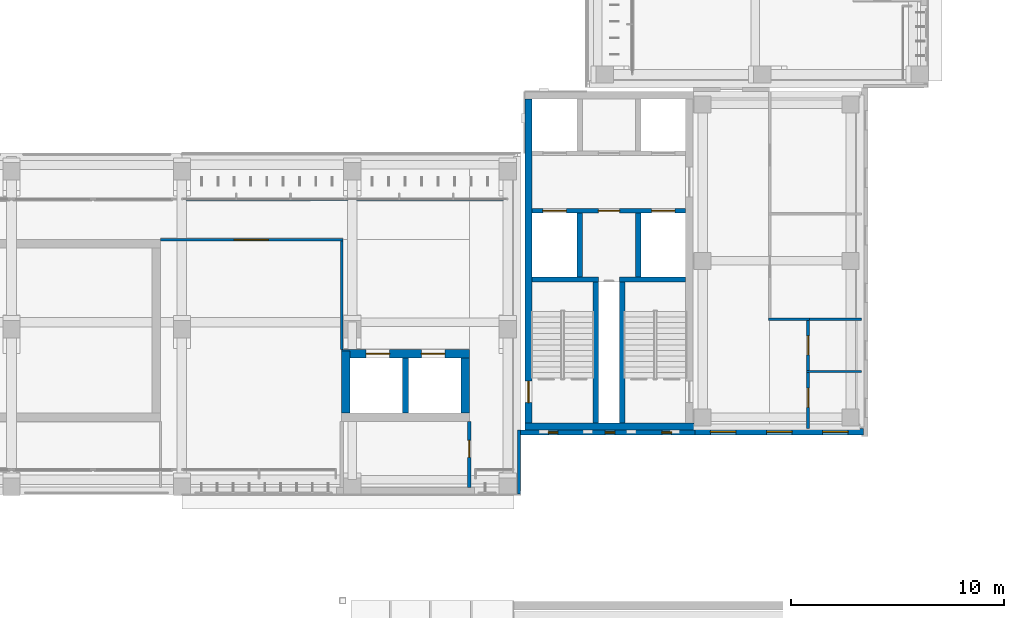
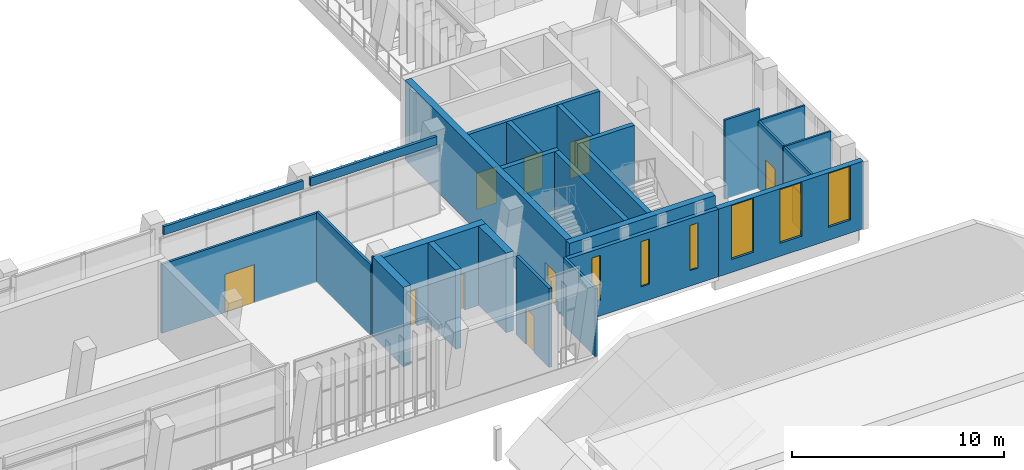
# One storey, part 60 of 89: 25 walls, 10 doors, 6 windows, 16 openings.
"""IFC4 building model written with IfcOpenShell, lengths in metres."""

from ifc_helpers import new_model, si_unit, direction, frame, frame_2d, origin, place, context, subcontext, project, spatial, rectangle, extrude, material, layer, layer_set, type_object, element, fill, save


model = new_model("IFC4")

# Units and contexts
model_context = context("Model", 3, precision=1e-05, world=origin(), true_north=direction((0.0, 1.0)))
body_context = subcontext(model_context, "Body", "Model", "MODEL_VIEW")
ifc_project = project(units=[si_unit("LENGTHUNIT", "METRE"), si_unit("AREAUNIT", "SQUARE_METRE"), si_unit("VOLUMEUNIT", "CUBIC_METRE"), si_unit("PLANEANGLEUNIT", "RADIAN"), si_unit("MASSUNIT", "GRAM", prefix="KILO")], contexts=[model_context])

# Site, building, storey
site_placement = place(None, origin())
site = spatial("IfcSite", under=ifc_project, at=site_placement, CompositionType="ELEMENT")
building_placement = place(site_placement, origin())
building = spatial("IfcBuilding", under=site, at=building_placement, Name="Lantern Court Media Centre", CompositionType="ELEMENT")
storey_placement = place(building_placement, frame((0.0, 0.0, 14.39990234375)))
storey = spatial("IfcBuildingStorey", under=building, at=storey_placement, Name="L03", CompositionType="ELEMENT", Elevation=14.39990234375)

# Wall
ifc_material_1 = material(Name="Gypsum board partition")
ifc_layer_1 = layer(ifc_material_1, 0.125)
ifc_layer_set_1 = layer_set([ifc_layer_1], Name="Gypsum board partition")
wall_type_1 = type_object("IfcWallType", Name="Corridor partition 125", PredefinedType="PARTITIONING", material=ifc_layer_set_1)
wall_1_placement = place(storey_placement, frame((71.5, 51.800048828125, 0.0), z_axis=(0.0, 0.0, 1.0), x_axis=(0.0, 1.0, 0.0)))
element("IfcWall", 1, at=wall_1_placement, inside=storey, type_object=wall_type_1, Name="L03 partition 008", PredefinedType="PARTITIONING", context=body_context, shape_type="SweptSolid", body=[
    extrude(rectangle(XDim=5.08740234375, YDim=0.125, at=frame_2d((2.543701171875, 0.0))), origin(), (0.0, 0.0, 1.0), 4.080078125),
])

# Wall, opening, door
wall_2_placement = place(storey_placement, frame((63.0, 56.949951171875, 0.0), z_axis=(0.0, 0.0, 1.0), x_axis=(1.0, 0.0, 0.0)))
wall_2 = element("IfcWall", 2, at=wall_2_placement, inside=storey, type_object=wall_type_1, Name="L03 partition 012", PredefinedType="PARTITIONING", context=body_context, shape_type="SweptSolid", body=[
    extrude(rectangle(XDim=8.5625, YDim=0.125, at=frame_2d((4.28125, 0.0))), origin(), (0.0, 0.0, 1.0), 3.97998046875),
])
opening_1_placement = place(wall_2_placement, frame((3.449951171875, 0.0, 0.0)))
opening_1 = element("IfcOpeningElement", 3, at=opening_1_placement, cuts=wall_2, Name="Opening L03-006", PredefinedType="OPENING", context=body_context, shape_type="SweptSolid", body=[
    extrude(rectangle(XDim=1.60009765625, YDim=2.199951171875, at=frame_2d((0.800048828125, 1.10009765625))), frame((0.0, 0.072509765625, 0.0), z_axis=(0.0, -1.0, 0.0), x_axis=(1.0, 0.0, 0.0)), (0.0, 0.0, 1.0), 0.14501953125),
])
ifc_material_2 = material(Name="Solid-core timber door leaf", Category="wood")
door_type_1 = type_object("IfcDoorType", Name="Double door 1600x2200", OperationType="NOTDEFINED", PredefinedType="DOOR", material=ifc_material_2)
door_1_placement = place(opening_1_placement, frame((1.60009765625, 0.0, 0.0), z_axis=(0.0, 0.0, 1.0), x_axis=(-1.0, 0.0, 0.0)))
door_1 = element("IfcDoor", 4, at=door_1_placement, inside=storey, type_object=door_type_1, Name="L03 Media Library Reading Room 04 door", OperationType="DOUBLE_DOOR_SINGLE_SWING", OverallHeight=2.199951171875, OverallWidth=1.60009765625, PredefinedType="DOOR", context=body_context, shape_type="SweptSolid", body=[
    extrude(rectangle(XDim=1.60009765625, YDim=2.199951171875, at=frame_2d((0.800048828125, 1.10009765625))), frame((0.0, 0.02490234375, 0.0), z_axis=(0.0, -1.0, 0.0), x_axis=(1.0, 0.0, 0.0)), (0.0, 0.0, 1.0), 0.050048828125),
])
fill(opening_1, door_1)

# Wall
wall_3_placement = place(storey_placement, frame((91.53759765625, 53.2099609375, 0.0), z_axis=(0.0, 0.0, 1.0), x_axis=(1.0, 0.0, 0.0)))
element("IfcWall", 5, at=wall_3_placement, inside=storey, type_object=wall_type_1, Name="L03 partition 056", PredefinedType="PARTITIONING", context=body_context, shape_type="SweptSolid", body=[
    extrude(rectangle(XDim=1.9248046875, YDim=0.125, at=frame_2d((0.96240234375, 0.0))), origin(), (0.0, 0.0, 1.0), 4.56005859375),
])

# Wall, openings, doors
wall_4_placement = place(storey_placement, frame((93.39990234375, 48.080078125, 0.0), z_axis=(0.0, 0.0, 1.0), x_axis=(0.0, 1.0, 0.0)))
wall_4 = element("IfcWall", 6, at=wall_4_placement, inside=storey, type_object=wall_type_1, Name="L03 partition 059", PredefinedType="PARTITIONING", context=body_context, shape_type="SweptSolid", body=[
    extrude(rectangle(XDim=5.067138671875, YDim=0.125, at=frame_2d((2.53369140625, 0.0))), origin(), (0.0, 0.0, 1.0), 3.880126953125),
])
opening_2_placement = place(wall_4_placement, frame((0.997314453125, 0.0, 0.0)))
opening_2 = element("IfcOpeningElement", 7, at=opening_2_placement, cuts=wall_4, Name="Opening L03-040", PredefinedType="OPENING", context=body_context, shape_type="SweptSolid", body=[
    extrude(rectangle(XDim=0.89990234375, YDim=2.10009765625, at=frame_2d((0.449951171875, 1.050048828125))), frame((0.0, 0.072509765625, 0.0), z_axis=(0.0, -1.0, 0.0), x_axis=(1.0, 0.0, 0.0)), (0.0, 0.0, 1.0), 0.14501953125),
])
opening_3_placement = place(wall_4_placement, frame((3.4521484375, 0.0, 0.0)))
opening_3 = element("IfcOpeningElement", 8, at=opening_3_placement, cuts=wall_4, Name="Opening L03-041", PredefinedType="OPENING", context=body_context, shape_type="SweptSolid", body=[
    extrude(rectangle(XDim=0.89990234375, YDim=2.10009765625, at=frame_2d((0.449951171875, 1.050048828125))), frame((0.0, 0.072509765625, 0.0), z_axis=(0.0, -1.0, 0.0), x_axis=(1.0, 0.0, 0.0)), (0.0, 0.0, 1.0), 0.14501953125),
])
door_type_2 = type_object("IfcDoorType", Name="Single door 900x2100", OperationType="NOTDEFINED", PredefinedType="DOOR", material=ifc_material_2)
door_2_placement = place(opening_2_placement, frame((0.89990234375, 0.0, 0.0), z_axis=(0.0, 0.0, 1.0), x_axis=(-1.0, 0.0, 0.0)))
door_2 = element("IfcDoor", 9, at=door_2_placement, inside=storey, type_object=door_type_2, Name="L03 WC Male door", OperationType="SINGLE_SWING_LEFT", OverallHeight=2.10009765625, OverallWidth=0.89990234375, PredefinedType="DOOR", context=body_context, shape_type="SweptSolid", body=[
    extrude(rectangle(XDim=0.89990234375, YDim=2.10009765625, at=frame_2d((0.449951171875, 1.050048828125))), frame((0.0, 0.02490234375, 0.0), z_axis=(0.0, -1.0, 0.0), x_axis=(1.0, 0.0, 0.0)), (0.0, 0.0, 1.0), 0.050048828125),
])
fill(opening_2, door_2)
door_3_placement = place(opening_3_placement, frame((0.89990234375, 0.0, 0.0), z_axis=(0.0, 0.0, 1.0), x_axis=(-1.0, 0.0, 0.0)))
door_3 = element("IfcDoor", 10, at=door_3_placement, inside=storey, type_object=door_type_2, Name="L03 WC Female door", OperationType="SINGLE_SWING_RIGHT", OverallHeight=2.10009765625, OverallWidth=0.89990234375, PredefinedType="DOOR", context=body_context, shape_type="SweptSolid", body=[
    extrude(rectangle(XDim=0.89990234375, YDim=2.10009765625, at=frame_2d((0.449951171875, 1.050048828125))), frame((0.0, 0.02490234375, 0.0), z_axis=(0.0, -1.0, 0.0), x_axis=(1.0, 0.0, 0.0)), (0.0, 0.0, 1.0), 0.050048828125),
])
fill(opening_3, door_3)

ifc_material_3 = material(Name="Concrete C40", Category="concrete")
ifc_layer_2 = layer(ifc_material_3, 0.199951171875)
ifc_layer_set_2 = layer_set([ifc_layer_2], Name="Concrete C40")
wall_type_2 = type_object("IfcWallType", Name="Fire lobby wall 200", PredefinedType="SOLIDWALL", material=ifc_layer_set_2)
wall_5_placement = place(storey_placement, frame((87.64990234375, 58.300048828125, 0.0), z_axis=(0.0, 0.0, 1.0), x_axis=(-1.0, 0.0, 0.0)))
wall_5 = element("IfcWall", 11, at=wall_5_placement, inside=storey, type_object=wall_type_2, Name="L03 SE FW1", PredefinedType="SOLIDWALL", context=body_context, shape_type="SweptSolid", body=[
    extrude(rectangle(XDim=7.199951171875, YDim=0.199951171875, at=frame_2d((3.60009765625, 0.0))), origin(), (0.0, 0.0, 1.0), 4.550048828125),
])
opening_4_placement = place(wall_5_placement, frame((0.5, 0.0, 0.0)))
opening_4 = element("IfcOpeningElement", 12, at=opening_4_placement, cuts=wall_5, Name="Opening LD-SEFF-L03", PredefinedType="OPENING", context=body_context, shape_type="SweptSolid", body=[
    extrude(rectangle(XDim=1.10009765625, YDim=2.10009765625, at=frame_2d((0.550048828125, 1.050048828125))), frame((0.0, 0.10986328125, 0.0), z_axis=(0.0, -1.0, 0.0), x_axis=(1.0, 0.0, 0.0)), (0.0, 0.0, 1.0), 0.219970703125),
])
opening_5_placement = place(wall_5_placement, frame((5.60009765625, 0.0, 0.0)))
opening_5 = element("IfcOpeningElement", 13, at=opening_5_placement, cuts=wall_5, Name="Opening LD-SEP1-L03", PredefinedType="OPENING", context=body_context, shape_type="SweptSolid", body=[
    extrude(rectangle(XDim=1.10009765625, YDim=2.10009765625, at=frame_2d((0.550048828125, 1.050048828125))), frame((0.0, 0.10986328125, 0.0), z_axis=(0.0, -1.0, 0.0), x_axis=(1.0, 0.0, 0.0)), (0.0, 0.0, 1.0), 0.219970703125),
])
opening_6_placement = place(wall_5_placement, frame((3.10009765625, 0.0, 0.0)))
opening_6 = element("IfcOpeningElement", 14, at=opening_6_placement, cuts=wall_5, Name="Opening SE-L03-03", PredefinedType="OPENING", context=body_context, shape_type="SweptSolid", body=[
    extrude(rectangle(XDim=1.0, YDim=2.10009765625, at=frame_2d((0.5, 1.050048828125))), frame((0.0, 0.10986328125, 0.0), z_axis=(0.0, -1.0, 0.0), x_axis=(1.0, 0.0, 0.0)), (0.0, 0.0, 1.0), 0.219970703125),
])
ifc_material_4 = material(Name="Steel door leaf", Category="steel")
door_type_3 = type_object("IfcDoorType", Name="Lift landing door 1100x2100", OperationType="DOUBLE_DOOR_SLIDING", PredefinedType="DOOR", material=ifc_material_4)
door_4_placement = place(opening_4_placement, frame((1.10009765625, 0.0, 0.0), z_axis=(0.0, 0.0, 1.0), x_axis=(-1.0, 0.0, 0.0)))
door_4 = element("IfcDoor", 15, at=door_4_placement, inside=storey, type_object=door_type_3, Name="L03 SE lift FF landing door", OperationType="DOUBLE_DOOR_SLIDING", OverallHeight=2.10009765625, OverallWidth=1.10009765625, PredefinedType="DOOR", context=body_context, shape_type="SweptSolid", body=[
    extrude(rectangle(XDim=1.10009765625, YDim=2.10009765625, at=frame_2d((0.550048828125, 1.050048828125))), frame((0.0, 0.02490234375, 0.0), z_axis=(0.0, -1.0, 0.0), x_axis=(1.0, 0.0, 0.0)), (0.0, 0.0, 1.0), 0.050048828125),
])
fill(opening_4, door_4)
door_5_placement = place(opening_5_placement, frame((1.10009765625, 0.0, 0.0), z_axis=(0.0, 0.0, 1.0), x_axis=(-1.0, 0.0, 0.0)))
door_5 = element("IfcDoor", 16, at=door_5_placement, inside=storey, type_object=door_type_3, Name="L03 SE lift P1 landing door", OperationType="DOUBLE_DOOR_SLIDING", OverallHeight=2.10009765625, OverallWidth=1.10009765625, PredefinedType="DOOR", context=body_context, shape_type="SweptSolid", body=[
    extrude(rectangle(XDim=1.10009765625, YDim=2.10009765625, at=frame_2d((0.550048828125, 1.050048828125))), frame((0.0, 0.02490234375, 0.0), z_axis=(0.0, -1.0, 0.0), x_axis=(1.0, 0.0, 0.0)), (0.0, 0.0, 1.0), 0.050048828125),
])
fill(opening_5, door_5)
door_type_4 = type_object("IfcDoorType", Name="Service door 1000x2100", OperationType="NOTDEFINED", PredefinedType="DOOR", material=ifc_material_4)
door_6_placement = place(opening_6_placement, frame((1.0, 0.0, 0.0), z_axis=(0.0, 0.0, 1.0), x_axis=(-1.0, 0.0, 0.0)))
door_6 = element("IfcDoor", 17, at=door_6_placement, inside=storey, type_object=door_type_4, Name="L03 SE services riser door", OperationType="SINGLE_SWING_LEFT", OverallHeight=2.10009765625, OverallWidth=1.0, PredefinedType="DOOR", context=body_context, shape_type="SweptSolid", body=[
    extrude(rectangle(XDim=1.0, YDim=2.10009765625, at=frame_2d((0.5, 1.050048828125))), frame((0.0, 0.02490234375, 0.0), z_axis=(0.0, -1.0, 0.0), x_axis=(1.0, 0.0, 0.0)), (0.0, 0.0, 1.0), 0.050048828125),
])
fill(opening_6, door_6)

# Walls
ifc_material_5 = material(Name="Insulated rendered blockwork", Category="masonry")
ifc_layer_3 = layer(ifc_material_5, 0.14990234375)
ifc_layer_set_3 = layer_set([ifc_layer_3], Name="Insulated rendered blockwork")
wall_type_3 = type_object("IfcWallType", Name="Head infill wall 150", PredefinedType="SOLIDWALL", material=ifc_layer_set_3)
wall_6_placement = place(storey_placement, frame((64.199951171875, 58.85009765625, 4.10009765625), z_axis=(0.0, 0.0, 1.0), x_axis=(1.0, 0.0, 0.0)))
element("IfcWall", 18, at=wall_6_placement, inside=storey, type_object=wall_type_3, Name="Head infill wall S inner L03", PredefinedType="SOLIDWALL", context=body_context, shape_type="SweptSolid", body=[
    extrude(rectangle(XDim=7.60009765625, YDim=0.14990234375, at=frame_2d((3.800048828125, 0.0))), origin(), (0.0, 0.0, 1.0), 0.47998046875),
])
wall_7_placement = place(storey_placement, frame((72.199951171875, 58.85009765625, 4.10009765625), z_axis=(0.0, 0.0, 1.0), x_axis=(1.0, 0.0, 0.0)))
element("IfcWall", 19, at=wall_7_placement, inside=storey, type_object=wall_type_3, Name="Head infill wall S inner L03", PredefinedType="SOLIDWALL", context=body_context, shape_type="SweptSolid", body=[
    extrude(rectangle(XDim=6.900146484375, YDim=0.14990234375, at=frame_2d((3.4501953125, 0.0))), origin(), (0.0, 0.0, 1.0), 0.47998046875),
])

# Wall, openings, windows
ifc_material_6 = material(Name="Honed limestone cladding on blockwork", Category="masonry")
ifc_layer_4 = layer(ifc_material_6, 0.300048828125)
ifc_layer_set_4 = layer_set([ifc_layer_4], Name="Honed limestone cladding on blockwork")
wall_type_4 = type_object("IfcWallType", Name="Limestone block wall 300", PredefinedType="SOLIDWALL", material=ifc_layer_set_4)
wall_8_placement = place(storey_placement, frame((88.10009765625, 47.929931640625, 0.0), z_axis=(0.0, 0.0, 1.0), x_axis=(1.0, 0.0, 0.0)))
wall_8 = element("IfcWall", 20, at=wall_8_placement, inside=storey, type_object=wall_type_4, Name="Limestone wall SE S L03", PredefinedType="SOLIDWALL", context=body_context, shape_type="SweptSolid", body=[
    extrude(rectangle(XDim=7.89990234375, YDim=0.300048828125, at=frame_2d((3.949951171875, 0.0))), origin(), (0.0, 0.0, 1.0), 3.900146484375),
])
opening_7_placement = place(wall_8_placement, frame((0.716552734375, 0.0, 0.75)))
opening_7 = element("IfcOpeningElement", 21, at=opening_7_placement, cuts=wall_8, Name="Opening WN-T", PredefinedType="OPENING", context=body_context, shape_type="SweptSolid", body=[
    extrude(rectangle(XDim=1.199951171875, YDim=3.10009765625, at=frame_2d((0.60009765625, 1.550048828125))), frame((0.0, 0.159912109375, 0.0), z_axis=(0.0, -1.0, 0.0), x_axis=(1.0, 0.0, 0.0)), (0.0, 0.0, 1.0), 0.320068359375),
])
opening_8_placement = place(wall_8_placement, frame((3.35009765625, 0.0, 0.75)))
opening_8 = element("IfcOpeningElement", 22, at=opening_8_placement, cuts=wall_8, Name="Opening WN-T", PredefinedType="OPENING", context=body_context, shape_type="SweptSolid", body=[
    extrude(rectangle(XDim=1.199951171875, YDim=3.10009765625, at=frame_2d((0.60009765625, 1.550048828125))), frame((0.0, 0.159912109375, 0.0), z_axis=(0.0, -1.0, 0.0), x_axis=(1.0, 0.0, 0.0)), (0.0, 0.0, 1.0), 0.320068359375),
])
opening_9_placement = place(wall_8_placement, frame((5.9833984375, 0.0, 0.75)))
opening_9 = element("IfcOpeningElement", 23, at=opening_9_placement, cuts=wall_8, Name="Opening WN-T", PredefinedType="OPENING", context=body_context, shape_type="SweptSolid", body=[
    extrude(rectangle(XDim=1.199951171875, YDim=3.10009765625, at=frame_2d((0.60009765625, 1.550048828125))), frame((0.0, 0.159912109375, 0.0), z_axis=(0.0, -1.0, 0.0), x_axis=(1.0, 0.0, 0.0)), (0.0, 0.0, 1.0), 0.320068359375),
])
ifc_material_7 = material(Name="Anodised aluminium and glass", Category="aluminium")
window_type_1 = type_object("IfcWindowType", Name="Tall window 1200x3100", PartitioningType="SINGLE_PANEL", PredefinedType="WINDOW", material=ifc_material_7)
window_1_placement = place(opening_7_placement, origin())
window_1 = element("IfcWindow", 24, at=window_1_placement, inside=storey, type_object=window_type_1, Name="Window SE S L03", OverallHeight=3.10009765625, OverallWidth=1.199951171875, PartitioningType="SINGLE_PANEL", PredefinedType="WINDOW", context=body_context, shape_type="SweptSolid", body=[
    extrude(rectangle(XDim=1.199951171875, YDim=3.10009765625, at=frame_2d((0.60009765625, 1.550048828125))), frame((0.0, 0.030029296875, 0.0), z_axis=(0.0, -1.0, 0.0), x_axis=(1.0, 0.0, 0.0)), (0.0, 0.0, 1.0), 0.06005859375),
])
fill(opening_7, window_1)
window_2_placement = place(opening_8_placement, origin())
window_2 = element("IfcWindow", 25, at=window_2_placement, inside=storey, type_object=window_type_1, Name="Window SE S L03", OverallHeight=3.10009765625, OverallWidth=1.199951171875, PartitioningType="SINGLE_PANEL", PredefinedType="WINDOW", context=body_context, shape_type="SweptSolid", body=[
    extrude(rectangle(XDim=1.199951171875, YDim=3.10009765625, at=frame_2d((0.60009765625, 1.550048828125))), frame((0.0, 0.030029296875, 0.0), z_axis=(0.0, -1.0, 0.0), x_axis=(1.0, 0.0, 0.0)), (0.0, 0.0, 1.0), 0.06005859375),
])
fill(opening_8, window_2)
window_3_placement = place(opening_9_placement, origin())
window_3 = element("IfcWindow", 26, at=window_3_placement, inside=storey, type_object=window_type_1, Name="Window SE S L03", OverallHeight=3.10009765625, OverallWidth=1.199951171875, PartitioningType="SINGLE_PANEL", PredefinedType="WINDOW", context=body_context, shape_type="SweptSolid", body=[
    extrude(rectangle(XDim=1.199951171875, YDim=3.10009765625, at=frame_2d((0.60009765625, 1.550048828125))), frame((0.0, 0.030029296875, 0.0), z_axis=(0.0, -1.0, 0.0), x_axis=(1.0, 0.0, 0.0)), (0.0, 0.0, 1.0), 0.06005859375),
])
fill(opening_9, window_3)

# Wall
ifc_layer_5 = layer(ifc_material_6, 0.139892578125)
ifc_layer_set_5 = layer_set([ifc_layer_5], Name="Honed limestone cladding on blockwork")
wall_type_5 = type_object("IfcWallType", Name="Limestone closure wall 140", PredefinedType="SOLIDWALL", material=ifc_layer_set_5)
wall_9_placement = place(storey_placement, frame((79.830078125, 45.0, 0.0), z_axis=(0.0, 0.0, 1.0), x_axis=(0.0, 1.0, 0.0)))
element("IfcWall", 27, at=wall_9_placement, inside=storey, type_object=wall_type_5, Name="Limestone closure wall S-SE L03", PredefinedType="SOLIDWALL", context=body_context, shape_type="SweptSolid", body=[
    extrude(rectangle(XDim=3.0, YDim=0.139892578125, at=frame_2d((1.5, 0.0))), origin(), (0.0, 0.0, 1.0), 3.900146484375),
])

# Wall, openings, windows
ifc_material_8 = material(Name="Honed limestone cladding on blockwork, reduced to 220 where it passes the core wall", Category="masonry")
ifc_layer_6 = layer(ifc_material_8, 0.219970703125)
ifc_layer_set_6 = layer_set([ifc_layer_6], Name="Honed limestone cladding on blockwork, reduced to 220 where it passes the core wall")
wall_type_6 = type_object("IfcWallType", Name="Limestone skin wall 220", PredefinedType="SOLIDWALL", material=ifc_layer_set_6)
wall_10_placement = place(storey_placement, frame((79.89990234375, 47.889892578125, 0.0), z_axis=(0.0, 0.0, 1.0), x_axis=(1.0, 0.0, 0.0)))
wall_10 = element("IfcWall", 28, at=wall_10_placement, inside=storey, type_object=wall_type_6, Name="Limestone wall SE S L03", PredefinedType="SOLIDWALL", context=body_context, shape_type="SweptSolid", body=[
    extrude(rectangle(XDim=8.2001953125, YDim=0.219970703125, at=frame_2d((4.10009765625, 0.0))), origin(), (0.0, 0.0, 1.0), 3.900146484375),
])
opening_10_placement = place(wall_10_placement, frame((1.308349609375, 0.0, 0.89990234375)))
opening_10 = element("IfcOpeningElement", 29, at=opening_10_placement, cuts=wall_10, Name="Opening WN-S", PredefinedType="OPENING", context=body_context, shape_type="SweptSolid", body=[
    extrude(rectangle(XDim=0.449951171875, YDim=2.60009765625, at=frame_2d((0.22509765625, 1.300048828125))), frame((0.0, 0.119873046875, 0.0), z_axis=(0.0, -1.0, 0.0), x_axis=(1.0, 0.0, 0.0)), (0.0, 0.0, 1.0), 0.239990234375),
])
opening_11_placement = place(wall_10_placement, frame((3.97509765625, 0.0, 0.89990234375)))
opening_11 = element("IfcOpeningElement", 30, at=opening_11_placement, cuts=wall_10, Name="Opening WN-S", PredefinedType="OPENING", context=body_context, shape_type="SweptSolid", body=[
    extrude(rectangle(XDim=0.449951171875, YDim=2.60009765625, at=frame_2d((0.22509765625, 1.300048828125))), frame((0.0, 0.119873046875, 0.0), z_axis=(0.0, -1.0, 0.0), x_axis=(1.0, 0.0, 0.0)), (0.0, 0.0, 1.0), 0.239990234375),
])
opening_12_placement = place(wall_10_placement, frame((6.6416015625, 0.0, 0.89990234375)))
opening_12 = element("IfcOpeningElement", 31, at=opening_12_placement, cuts=wall_10, Name="Opening WN-S", PredefinedType="OPENING", context=body_context, shape_type="SweptSolid", body=[
    extrude(rectangle(XDim=0.449951171875, YDim=2.60009765625, at=frame_2d((0.22509765625, 1.300048828125))), frame((0.0, 0.119873046875, 0.0), z_axis=(0.0, -1.0, 0.0), x_axis=(1.0, 0.0, 0.0)), (0.0, 0.0, 1.0), 0.239990234375),
])
window_type_2 = type_object("IfcWindowType", Name="Stair slit window 450x2600", PartitioningType="SINGLE_PANEL", PredefinedType="WINDOW", material=ifc_material_7)
window_4_placement = place(opening_10_placement, origin())
window_4 = element("IfcWindow", 32, at=window_4_placement, inside=storey, type_object=window_type_2, Name="Window SE S L03", OverallHeight=2.60009765625, OverallWidth=0.449951171875, PartitioningType="SINGLE_PANEL", PredefinedType="WINDOW", context=body_context, shape_type="SweptSolid", body=[
    extrude(rectangle(XDim=0.449951171875, YDim=2.60009765625, at=frame_2d((0.22509765625, 1.300048828125))), frame((0.0, 0.030029296875, 0.0), z_axis=(0.0, -1.0, 0.0), x_axis=(1.0, 0.0, 0.0)), (0.0, 0.0, 1.0), 0.06005859375),
])
fill(opening_10, window_4)
window_5_placement = place(opening_11_placement, origin())
window_5 = element("IfcWindow", 33, at=window_5_placement, inside=storey, type_object=window_type_2, Name="Window SE S L03", OverallHeight=2.60009765625, OverallWidth=0.449951171875, PartitioningType="SINGLE_PANEL", PredefinedType="WINDOW", context=body_context, shape_type="SweptSolid", body=[
    extrude(rectangle(XDim=0.449951171875, YDim=2.60009765625, at=frame_2d((0.22509765625, 1.300048828125))), frame((0.0, 0.030029296875, 0.0), z_axis=(0.0, -1.0, 0.0), x_axis=(1.0, 0.0, 0.0)), (0.0, 0.0, 1.0), 0.06005859375),
])
fill(opening_11, window_5)
window_6_placement = place(opening_12_placement, origin())
window_6 = element("IfcWindow", 34, at=window_6_placement, inside=storey, type_object=window_type_2, Name="Window SE S L03", OverallHeight=2.60009765625, OverallWidth=0.449951171875, PartitioningType="SINGLE_PANEL", PredefinedType="WINDOW", context=body_context, shape_type="SweptSolid", body=[
    extrude(rectangle(XDim=0.449951171875, YDim=2.60009765625, at=frame_2d((0.22509765625, 1.300048828125))), frame((0.0, 0.030029296875, 0.0), z_axis=(0.0, -1.0, 0.0), x_axis=(1.0, 0.0, 0.0)), (0.0, 0.0, 1.0), 0.06005859375),
])
fill(opening_12, window_6)

# Walls
ifc_layer_7 = layer(ifc_material_1, 0.10009765625)
ifc_layer_set_7 = layer_set([ifc_layer_7], Name="Gypsum board partition")
wall_type_7 = type_object("IfcWallType", Name="Partition 100", PredefinedType="PARTITIONING", material=ifc_layer_set_7)
for number, where, z_axis, x_axis, name in (
    (35, (93.33740234375, 53.2099609375, 0.0), (0.0, 0.0, 1.0), (1.0, 0.0, 0.0), "L03 partition 057"),
    (36, (93.33740234375, 50.7548828125, 0.0), (0.0, 0.0, 1.0), (1.0, 0.0, 0.0), "L03 partition 061"),
):
    element("IfcWall", number, at=place(storey_placement, frame(where, z_axis=z_axis, x_axis=x_axis)), inside=storey, type_object=wall_type_7, Name=name, PredefinedType="PARTITIONING", context=body_context, shape_type="SweptSolid", body=[
        extrude(rectangle(XDim=2.58251953125, YDim=0.10009765625, at=frame_2d((1.291259765625, 0.0))), origin(), (0.0, 0.0, 1.0), 3.880126953125),
    ])
ifc_layer_8 = layer(ifc_material_3, 0.35009765625)
ifc_layer_set_8 = layer_set([ifc_layer_8], Name="Concrete C40")
wall_type_8 = type_object("IfcWallType", Name="RC CORE WALL 350", PredefinedType="SHEAR", material=ifc_layer_set_8)
wall_11_placement = place(storey_placement, frame((80.10009765625, 48.175048828125, 0.0), z_axis=(0.0, 0.0, 1.0), x_axis=(1.0, 0.0, 0.0)))
element("IfcWall", 37, at=wall_11_placement, inside=storey, type_object=wall_type_8, Name="WC-SE-L03-S", PredefinedType="SHEAR", context=body_context, shape_type="SweptSolid", body=[
    extrude(rectangle(XDim=7.949951171875, YDim=0.35009765625, at=frame_2d((3.97509765625, 0.0))), origin(), (0.0, 0.0, 1.0), 4.580078125),
])

# Wall, opening, door
wall_12_placement = place(storey_placement, frame((80.27490234375, 48.35009765625, 0.0), z_axis=(0.0, 0.0, 1.0), x_axis=(0.0, 1.0, 0.0)))
wall_12 = element("IfcWall", 38, at=wall_12_placement, inside=storey, type_object=wall_type_8, Name="WC-SE-L03-W", PredefinedType="SHEAR", context=body_context, shape_type="SweptSolid", body=[
    extrude(rectangle(XDim=15.199951171875, YDim=0.35009765625, at=frame_2d((7.60009765625, 0.0))), origin(), (0.0, 0.0, 1.0), 4.580078125),
])
opening_13_placement = place(wall_12_placement, frame((0.949951171875, 0.0, 0.0)))
opening_13 = element("IfcOpeningElement", 39, at=opening_13_placement, cuts=wall_12, Name="Opening SE-L03-02", PredefinedType="OPENING", context=body_context, shape_type="SweptSolid", body=[
    extrude(rectangle(XDim=1.0, YDim=2.10009765625, at=frame_2d((0.5, 1.050048828125))), frame((0.0, 0.18505859375, 0.0), z_axis=(0.0, -1.0, 0.0), x_axis=(1.0, 0.0, 0.0)), (0.0, 0.0, 1.0), 0.3701171875),
])
door_type_5 = type_object("IfcDoorType", Name="Stair door 1000x2100", OperationType="NOTDEFINED", PredefinedType="DOOR", material=ifc_material_4)
door_7_placement = place(opening_13_placement, origin())
door_7 = element("IfcDoor", 40, at=door_7_placement, inside=storey, type_object=door_type_5, Name="L03 SE stair B door", OperationType="SINGLE_SWING_LEFT", OverallHeight=2.10009765625, OverallWidth=1.0, PredefinedType="DOOR", context=body_context, shape_type="SweptSolid", body=[
    extrude(rectangle(XDim=1.0, YDim=2.10009765625, at=frame_2d((0.5, 1.050048828125))), frame((0.0, 0.02490234375, 0.0), z_axis=(0.0, -1.0, 0.0), x_axis=(1.0, 0.0, 0.0)), (0.0, 0.0, 1.0), 0.050048828125),
])
fill(opening_13, door_7)

# Wall
ifc_layer_9 = layer(ifc_material_3, 0.300048828125)
ifc_layer_set_9 = layer_set([ifc_layer_9], Name="Concrete C40")
wall_type_9 = type_object("IfcWallType", Name="RC SHEAR WALL 300", PredefinedType="SHEAR", material=ifc_layer_set_9)
wall_13_placement = place(storey_placement, frame((74.5, 48.800048828125, 0.0), z_axis=(0.0, 0.0, 1.0), x_axis=(0.0, 1.0, 0.0)))
element("IfcWall", 41, at=wall_13_placement, inside=storey, type_object=wall_type_9, Name="WB-S-LC2-L03-D", PredefinedType="SHEAR", context=body_context, shape_type="SweptSolid", body=[
    extrude(rectangle(XDim=2.599853515625, YDim=0.300048828125, at=frame_2d((1.2998046875, 0.0))), origin(), (0.0, 0.0, 1.0), 4.580078125),
])

# Wall, openings, doors
ifc_layer_10 = layer(ifc_material_3, 0.39990234375)
ifc_layer_set_10 = layer_set([ifc_layer_10], Name="Concrete C40")
wall_type_10 = type_object("IfcWallType", Name="RC SHEAR WALL 400", PredefinedType="SHEAR", material=ifc_layer_set_10)
wall_14_placement = place(storey_placement, frame((71.5, 51.60009765625, 0.0), z_axis=(0.0, 0.0, 1.0), x_axis=(1.0, 0.0, 0.0)))
wall_14 = element("IfcWall", 42, at=wall_14_placement, inside=storey, type_object=wall_type_10, Name="WB-S-LC2-L03-N", PredefinedType="SHEAR", context=body_context, shape_type="SweptSolid", body=[
    extrude(rectangle(XDim=6.0, YDim=0.39990234375, at=frame_2d((3.0, 0.0))), origin(), (0.0, 0.0, 1.0), 4.580078125),
])
opening_14_placement = place(wall_14_placement, frame((1.14990234375, 0.0, 0.0)))
opening_14 = element("IfcOpeningElement", 43, at=opening_14_placement, cuts=wall_14, Name="Opening LD-S-LC2P-L03", PredefinedType="OPENING", context=body_context, shape_type="SweptSolid", body=[
    extrude(rectangle(XDim=1.10009765625, YDim=2.10009765625, at=frame_2d((0.550048828125, 1.050048828125))), frame((0.0, 0.2099609375, 0.0), z_axis=(0.0, -1.0, 0.0), x_axis=(1.0, 0.0, 0.0)), (0.0, 0.0, 1.0), 0.419921875),
])
opening_15_placement = place(wall_14_placement, frame((3.75, 0.0, 0.0)))
opening_15 = element("IfcOpeningElement", 44, at=opening_15_placement, cuts=wall_14, Name="Opening LD-S-LC2S-L03", PredefinedType="OPENING", context=body_context, shape_type="SweptSolid", body=[
    extrude(rectangle(XDim=1.10009765625, YDim=2.10009765625, at=frame_2d((0.550048828125, 1.050048828125))), frame((0.0, 0.2099609375, 0.0), z_axis=(0.0, -1.0, 0.0), x_axis=(1.0, 0.0, 0.0)), (0.0, 0.0, 1.0), 0.419921875),
])
door_8_placement = place(opening_14_placement, origin())
door_8 = element("IfcDoor", 45, at=door_8_placement, inside=storey, type_object=door_type_3, Name="L03 S-LC2 passenger lift landing door", OperationType="DOUBLE_DOOR_SLIDING", OverallHeight=2.10009765625, OverallWidth=1.10009765625, PredefinedType="DOOR", context=body_context, shape_type="SweptSolid", body=[
    extrude(rectangle(XDim=1.10009765625, YDim=2.10009765625, at=frame_2d((0.550048828125, 1.050048828125))), frame((0.0, 0.02490234375, 0.0), z_axis=(0.0, -1.0, 0.0), x_axis=(1.0, 0.0, 0.0)), (0.0, 0.0, 1.0), 0.050048828125),
])
fill(opening_14, door_8)
door_9_placement = place(opening_15_placement, origin())
door_9 = element("IfcDoor", 46, at=door_9_placement, inside=storey, type_object=door_type_3, Name="L03 S-LC2 service lift landing door", OperationType="DOUBLE_DOOR_SLIDING", OverallHeight=2.10009765625, OverallWidth=1.10009765625, PredefinedType="DOOR", context=body_context, shape_type="SweptSolid", body=[
    extrude(rectangle(XDim=1.10009765625, YDim=2.10009765625, at=frame_2d((0.550048828125, 1.050048828125))), frame((0.0, 0.02490234375, 0.0), z_axis=(0.0, -1.0, 0.0), x_axis=(1.0, 0.0, 0.0)), (0.0, 0.0, 1.0), 0.050048828125),
])
fill(opening_15, door_9)

# Walls
wall_15_placement = place(storey_placement, frame((71.699951171875, 48.800048828125, 0.0), z_axis=(0.0, 0.0, 1.0), x_axis=(0.0, 1.0, 0.0)))
element("IfcWall", 47, at=wall_15_placement, inside=storey, type_object=wall_type_10, Name="WB-S-LC2-L03-W", PredefinedType="SHEAR", context=body_context, shape_type="SweptSolid", body=[
    extrude(rectangle(XDim=2.908203125, YDim=0.39990234375, at=frame_2d((1.4541015625, 0.0))), origin(), (0.0, 0.0, 1.0), 4.580078125),
])
wall_16_placement = place(storey_placement, frame((77.300048828125, 48.800048828125, 0.0), z_axis=(0.0, 0.0, 1.0), x_axis=(0.0, 1.0, 0.0)))
element("IfcWall", 48, at=wall_16_placement, inside=storey, type_object=wall_type_10, Name="WB-S-LC2-L03-E", PredefinedType="SHEAR", context=body_context, shape_type="SweptSolid", body=[
    extrude(rectangle(XDim=2.599853515625, YDim=0.39990234375, at=frame_2d((1.2998046875, 0.0))), origin(), (0.0, 0.0, 1.0), 4.580078125),
])
ifc_layer_11 = layer(ifc_material_3, 0.25)
ifc_layer_set_11 = layer_set([ifc_layer_11], Name="Concrete C40")
wall_type_11 = type_object("IfcWallType", Name="RC lift shaft wall 250", PredefinedType="SOLIDWALL", material=ifc_layer_set_11)
for number, where, z_axis, x_axis, name in (
    (49, (85.425048828125, 55.199951171875, 0.0), (0.0, 0.0, 1.0), (0.0, 1.0, 0.0), "L03 SE L1a"),
    (50, (82.675048828125, 55.199951171875, 0.0), (0.0, 0.0, 1.0), (0.0, 1.0, 0.0), "L03 SE L2a"),
):
    element("IfcWall", number, at=place(storey_placement, frame(where, z_axis=z_axis, x_axis=x_axis)), inside=storey, type_object=wall_type_11, Name=name, PredefinedType="SOLIDWALL", context=body_context, shape_type="SweptSolid", body=[
        extrude(rectangle(XDim=3.0, YDim=0.25, at=frame_2d((1.5, 0.0))), origin(), (0.0, 0.0, 1.0), 4.550048828125),
    ])
ifc_layer_12 = layer(ifc_material_3, 0.25)
ifc_layer_set_12 = layer_set([ifc_layer_12], Name="Concrete C40")
wall_type_12 = type_object("IfcWallType", Name="RC stair shaft wall 250", PredefinedType="SOLIDWALL", material=ifc_layer_set_12)
for number, where, z_axis, x_axis, name in (
    (51, (84.675048828125, 48.35009765625, 0.0), (0.0, 0.0, 1.0), (0.0, 1.0, 0.0), "L03 SE SA"),
    (52, (83.425048828125, 48.35009765625, 0.0), (0.0, 0.0, 1.0), (0.0, 1.0, 0.0), "L03 SE SB"),
):
    element("IfcWall", number, at=place(storey_placement, frame(where, z_axis=z_axis, x_axis=x_axis)), inside=storey, type_object=wall_type_12, Name=name, PredefinedType="SOLIDWALL", context=body_context, shape_type="SweptSolid", body=[
        extrude(rectangle(XDim=6.599853515625, YDim=0.25, at=frame_2d((3.2998046875, 0.0))), origin(), (0.0, 0.0, 1.0), 4.550048828125),
    ])
wall_17_placement = place(storey_placement, frame((87.64990234375, 55.074951171875, 0.0), z_axis=(0.0, 0.0, 1.0), x_axis=(-1.0, 0.0, 0.0)))
element("IfcWall", 53, at=wall_17_placement, inside=storey, type_object=wall_type_12, Name="L03 SE SN1", PredefinedType="SOLIDWALL", context=body_context, shape_type="SweptSolid", body=[
    extrude(rectangle(XDim=3.099853515625, YDim=0.25, at=frame_2d((1.5498046875, 0.0))), origin(), (0.0, 0.0, 1.0), 4.550048828125),
])
wall_18_placement = place(storey_placement, frame((83.550048828125, 55.074951171875, 0.0), z_axis=(0.0, 0.0, 1.0), x_axis=(-1.0, 0.0, 0.0)))
element("IfcWall", 54, at=wall_18_placement, inside=storey, type_object=wall_type_12, Name="L03 SE SN2", PredefinedType="SOLIDWALL", context=body_context, shape_type="SweptSolid", body=[
    extrude(rectangle(XDim=3.10009765625, YDim=0.25, at=frame_2d((1.550048828125, 0.0))), origin(), (0.0, 0.0, 1.0), 4.550048828125),
])

# Wall, opening, door
ifc_material_9 = material(Name="Fire-rated gypsum board")
ifc_layer_13 = layer(ifc_material_9, 0.159912109375)
ifc_layer_set_13 = layer_set([ifc_layer_13], Name="Fire-rated gypsum board")
wall_type_13 = type_object("IfcWallType", Name="Riser shaft liner wall 160", PredefinedType="PARTITIONING", material=ifc_layer_set_13)
wall_19_placement = place(storey_placement, frame((77.5, 45.300048828125, 0.0), z_axis=(0.0, 0.0, 1.0), x_axis=(0.0, 1.0, 0.0)))
wall_19 = element("IfcWall", 55, at=wall_19_placement, inside=storey, type_object=wall_type_13, Name="L03 partition 002", PredefinedType="PARTITIONING", context=body_context, shape_type="SweptSolid", body=[
    extrude(rectangle(XDim=3.099853515625, YDim=0.159912109375, at=frame_2d((1.5498046875, 0.0))), origin(), (0.0, 0.0, 1.0), 4.56005859375),
])
opening_16_placement = place(wall_19_placement, frame((1.425048828125, 0.0, 0.0)))
opening_16 = element("IfcOpeningElement", 56, at=opening_16_placement, cuts=wall_19, Name="Opening L03-002", PredefinedType="OPENING", context=body_context, shape_type="SweptSolid", body=[
    extrude(rectangle(XDim=0.800048828125, YDim=2.10009765625, at=frame_2d((0.39990234375, 1.050048828125))), frame((0.0, 0.08984375, 0.0), z_axis=(0.0, -1.0, 0.0), x_axis=(1.0, 0.0, 0.0)), (0.0, 0.0, 1.0), 0.179931640625),
])
door_type_6 = type_object("IfcDoorType", Name="Riser access fire door 800x2100", OperationType="NOTDEFINED", PredefinedType="DOOR", material=ifc_material_4)
door_10_placement = place(opening_16_placement, origin())
door_10 = element("IfcDoor", 57, at=door_10_placement, inside=storey, type_object=door_type_6, Name="L03 Services Duct door", OperationType="SINGLE_SWING_LEFT", OverallHeight=2.10009765625, OverallWidth=0.800048828125, PredefinedType="DOOR", context=body_context, shape_type="SweptSolid", body=[
    extrude(rectangle(XDim=0.800048828125, YDim=2.10009765625, at=frame_2d((0.39990234375, 1.050048828125))), frame((0.0, 0.02490234375, 0.0), z_axis=(0.0, -1.0, 0.0), x_axis=(1.0, 0.0, 0.0)), (0.0, 0.0, 1.0), 0.050048828125),
])
fill(opening_16, door_10)

save(model, "model.ifc")
